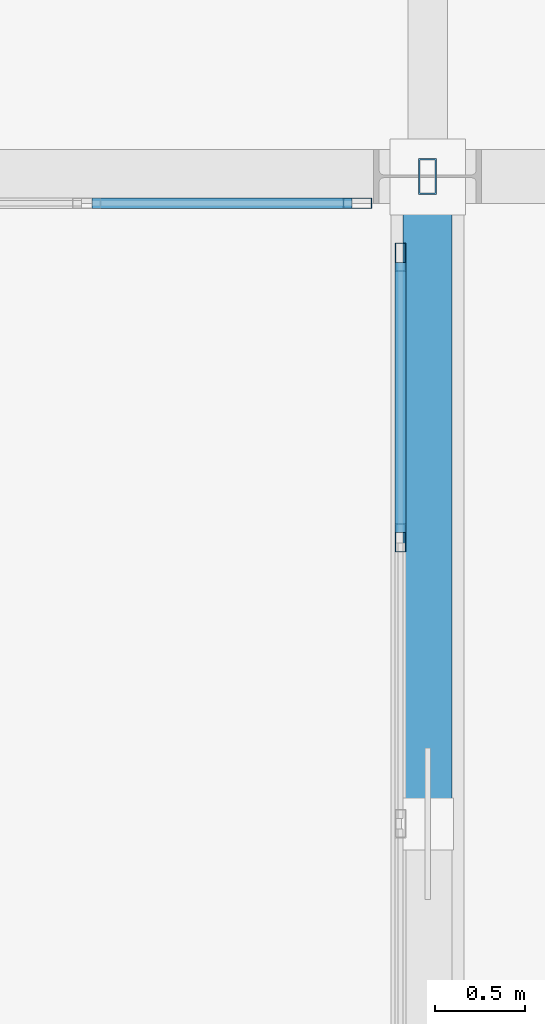
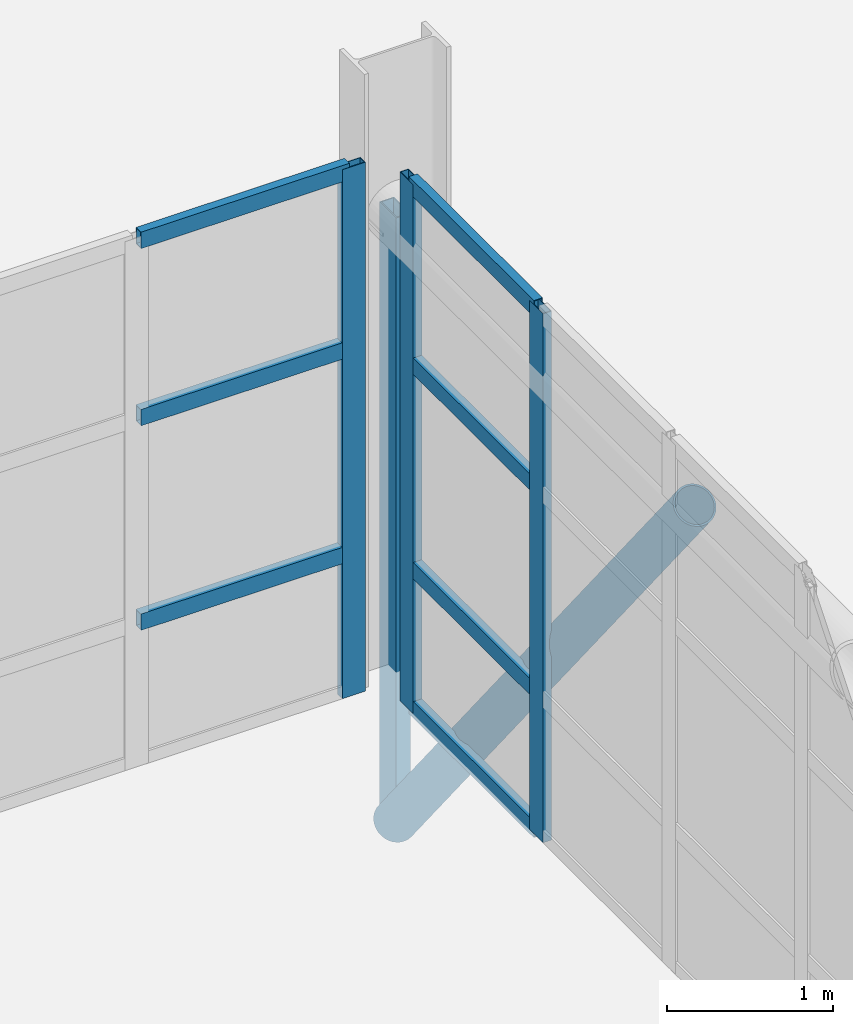
# One storey, part 24 of 130: 12 members, 2 elements without a shape of their own.
"""IFC4 building model written with IfcOpenShell, lengths in metres."""

import ifcopenshell
import ifcopenshell.guid

model = None  # the IFC model being written
_history = None  # IfcOwnerHistory: only IFC2X3 demands one
_inside = {}  # id of a spatial element -> (the spatial element, [elements in it])
_under = {}  # id of a project, library or spatial element -> (it, [spatial elements below it])
_declared = {}  # id of a project -> (the project, [libraries it declares])
_typed = {}  # id of a type object -> (the type object, [elements of that type])
_made_of = {}  # id of a material, layer set ... -> (it, [elements and type objects made of it])


def new_model(schema):
    """Start an empty IFC model of exactly this schema.

    Asked for "IFC4X3", IfcOpenShell would pick the latest addendum, in which some entities
    have other attributes; the version numbers below select the first issue.
    IFC2X3 requires an IfcOwnerHistory on every rooted entity: one is made here for all.
    """
    global model, _history
    if schema == "IFC4X3":
        model = ifcopenshell.file(schema_version=(4, 3, 0, 0))
    else:
        model = ifcopenshell.file(schema=schema)
    _inside.clear()
    _under.clear()
    _declared.clear()
    _typed.clear()
    _made_of.clear()
    _history = None
    if model.schema == "IFC2X3":
        org = make("IfcOrganization", Name="unknown")
        user = make(
            "IfcPersonAndOrganization",
            ThePerson=make("IfcPerson", FamilyName="unknown"),
            TheOrganization=org,
        )
        app = make(
            "IfcApplication",
            ApplicationDeveloper=org,
            Version="unknown",
            ApplicationFullName="unknown",
            ApplicationIdentifier="unknown",
        )
        _history = make(
            "IfcOwnerHistory",
            OwningUser=user,
            OwningApplication=app,
            ChangeAction="ADDED",
            CreationDate=0,
        )
    return model


def make(cls, **values):
    """One entity of the class cls with the attributes given. An attribute that is None is left unset."""
    return model.create_entity(
        cls, **{name: value for name, value in values.items() if value is not None}
    )


def rooted(cls, **values):
    """An entity with a GlobalId (a new one), such as an element, a storey or a relation."""
    return make(cls, GlobalId=ifcopenshell.guid.new(), OwnerHistory=_history, **values)


def si_unit(unit_type, name, prefix=None):
    """IfcSIUnit, for example si_unit("LENGTHUNIT", "METRE", prefix="MILLI")."""
    return make("IfcSIUnit", UnitType=unit_type, Prefix=prefix, Name=name)


def assignment(units):
    """IfcUnitAssignment: the units of a project."""
    return None if units is None else make("IfcUnitAssignment", Units=units)


def point(xyz):
    """IfcCartesianPoint."""
    return None if xyz is None else make("IfcCartesianPoint", Coordinates=xyz)


def direction(xyz):
    """IfcDirection."""
    return None if xyz is None else make("IfcDirection", DirectionRatios=xyz)


def frame(location, z_axis=None, x_axis=None):
    """IfcAxis2Placement3D, a coordinate frame: its origin and axes. An axis left out is left unset."""
    return make(
        "IfcAxis2Placement3D",
        Location=point(location),
        Axis=direction(z_axis),
        RefDirection=direction(x_axis),
    )


def frame_2d(location, x_axis=None):
    """IfcAxis2Placement2D, a coordinate frame in the plane: its origin and x axis."""
    return make(
        "IfcAxis2Placement2D", Location=point(location), RefDirection=direction(x_axis)
    )


def origin():
    """The frame at (0, 0, 0) with its axes left unset."""
    return frame((0.0, 0.0, 0.0))


def origin_2d():
    """The frame at (0, 0) in the plane with its x axis left unset."""
    return frame_2d((0.0, 0.0))


def place(relative_to, where):
    """IfcLocalPlacement: puts the frame where relative to a parent placement (None: the world)."""
    return make(
        "IfcLocalPlacement", PlacementRelTo=relative_to, RelativePlacement=where
    )


def context(
    kind, dimensions, precision=None, world=None, true_north=None, identifier=None
):
    """IfcGeometricRepresentationContext, for example the 3D "Model" context."""
    return make(
        "IfcGeometricRepresentationContext",
        ContextIdentifier=identifier,
        ContextType=kind,
        CoordinateSpaceDimension=dimensions,
        Precision=precision,
        WorldCoordinateSystem=world,
        TrueNorth=true_north,
    )


def subcontext(parent, identifier, kind, view, scale=None):
    """IfcGeometricRepresentationSubContext, for example "Body" below "Model"."""
    return make(
        "IfcGeometricRepresentationSubContext",
        ContextIdentifier=identifier,
        ContextType=kind,
        ParentContext=parent,
        TargetScale=scale,
        TargetView=view,
    )


def project(units=None, contexts=None):
    """IfcProject with its units and contexts."""
    return rooted(
        "IfcProject",
        Name="project",
        RepresentationContexts=contexts,
        UnitsInContext=assignment(units),
    )


def spatial(cls, under=None, at=None, **own):
    """A site, building, storey or space (cls), placed at a placement, below another one or the project."""
    s = rooted(cls, ObjectPlacement=at, **own)
    if under is not None:
        _under.setdefault(under.id(), (under, []))[1].append(s)
    return s


def profile(cls, at=None, kind="AREA", **sizes):
    """A parametric profile (cls). Its sizes go by their IFC names, for example OverallWidth=200.0."""
    return make(cls, ProfileType=kind, Position=at, **sizes)


def hollow_rectangle(**sizes):
    """IfcRectangleHollowProfileDef."""
    return profile("IfcRectangleHollowProfileDef", **sizes)


def hollow_circle(**sizes):
    """IfcCircleHollowProfileDef."""
    return profile("IfcCircleHollowProfileDef", **sizes)


def extrude(swept, where, along, depth):
    """IfcExtrudedAreaSolid: the profile swept, set in the frame where, extruded along a direction by depth."""
    return make(
        "IfcExtrudedAreaSolid",
        SweptArea=swept,
        Position=where,
        ExtrudedDirection=direction(along),
        Depth=depth,
    )


def shape(context_of_items, identifier, shape_type, items):
    """IfcShapeRepresentation: the items that make up one representation, for example the "Body"."""
    return make(
        "IfcShapeRepresentation",
        ContextOfItems=context_of_items,
        RepresentationIdentifier=identifier,
        RepresentationType=shape_type,
        Items=items,
    )


def material(Name=None, Category=None):
    """IfcMaterial."""
    return make("IfcMaterial", Name=Name, Category=Category)


def material_profile(
    of_material, cross_section, Name=None, Category=None, Priority=None
):
    """IfcMaterialProfile: a cross section and its material."""
    return make(
        "IfcMaterialProfile",
        Name=Name,
        Material=of_material,
        Profile=cross_section,
        Priority=Priority,
        Category=Category,
    )


def profile_set(profiles, Name=None, composite=None):
    """IfcMaterialProfileSet."""
    return make(
        "IfcMaterialProfileSet",
        Name=Name,
        MaterialProfiles=profiles,
        CompositeProfile=composite,
    )


def made_of(thing, what):
    """Note that an element or type object is made of a material, layer set ...; save() writes the relation."""
    if what is not None:
        _made_of.setdefault(what.id(), (what, []))[1].append(thing)
    return thing


def type_object(cls, material=None, **own):
    """A type object (cls), such as IfcWallType, which elements share."""
    return made_of(rooted(cls, **own), material)


def element(
    cls,
    number,
    at=None,
    inside=None,
    cuts=None,
    type_object=None,
    material=None,
    context=None,
    identifier="Body",
    shape_type=None,
    held_by="IfcProductDefinitionShape",
    body=None,
    shapes=None,
    **own,
):
    """One element of the class cls, such as IfcWall. Its Tag is "e" and its number.

    at: its placement. inside: the storey or other place that contains it. cuts: it is an
    opening in that element (IfcRelVoidsElement). A single representation is given by context,
    identifier, shape_type and body (its items); several are given by shapes. held_by: the class
    of the entity that holds the representations. save() writes the other relations.
    """
    e = rooted(cls, Tag="e%d" % number, ObjectPlacement=at, **own)
    if body is not None:
        shapes = [shape(context, identifier, shape_type, body)]
    if shapes is not None:
        e.Representation = make(held_by, Representations=shapes)
    if inside is not None:
        _inside.setdefault(inside.id(), (inside, []))[1].append(e)
    if cuts is not None:
        rooted(
            "IfcRelVoidsElement", RelatingBuildingElement=cuts, RelatedOpeningElement=e
        )
    if type_object is not None:
        _typed.setdefault(type_object.id(), (type_object, []))[1].append(e)
    return made_of(e, material)


def aggregate(whole, parts):
    """IfcRelAggregates: a whole, such as a stair, and the parts it consists of."""
    return rooted("IfcRelAggregates", RelatingObject=whole, RelatedObjects=parts)


def save(model, path):
    """Write the relations noted so far, then the file.

    IfcRelAggregates (storeys below a building ...), IfcRelContainedInSpatialStructure (elements
    in a storey), IfcRelDefinesByType, IfcRelAssociatesMaterial and IfcRelDeclares: one each for
    every whole, place, type object, material and project.
    """
    for whole, parts in _under.values():
        aggregate(whole, parts)
    for where, things in _inside.values():
        rooted(
            "IfcRelContainedInSpatialStructure",
            RelatedElements=things,
            RelatingStructure=where,
        )
    for kind, things in _typed.values():
        rooted("IfcRelDefinesByType", RelatedObjects=things, RelatingType=kind)
    for what, things in _made_of.values():
        rooted("IfcRelAssociatesMaterial", RelatedObjects=things, RelatingMaterial=what)
    for by, libraries in _declared.values():
        rooted("IfcRelDeclares", RelatingContext=by, RelatedDefinitions=libraries)
    model.write(path)


model = new_model("IFC4")

# Units and contexts
model_context = context("Model", 3, precision=1e-05, world=origin(), true_north=direction((0.0, 1.0)))
body_context = subcontext(model_context, "Body", "Model", "MODEL_VIEW")
ifc_project = project(units=[si_unit("LENGTHUNIT", "METRE"), si_unit("AREAUNIT", "SQUARE_METRE"), si_unit("VOLUMEUNIT", "CUBIC_METRE"), si_unit("PLANEANGLEUNIT", "RADIAN"), si_unit("MASSUNIT", "GRAM", prefix="KILO")], contexts=[model_context])

# Site, building, storey
site_placement = place(None, origin())
site = spatial("IfcSite", under=ifc_project, at=site_placement, CompositionType="ELEMENT")
building_placement = place(site_placement, origin())
building = spatial("IfcBuilding", under=site, at=building_placement, Name="Veltarok Museum of Natural Sciences", CompositionType="ELEMENT")
storey_placement = place(building_placement, frame((0.0, 0.0, 12.89990234375)))
storey = spatial("IfcBuildingStorey", under=building, at=storey_placement, Name="L02", CompositionType="ELEMENT", Elevation=12.89990234375)

# Curtain wall, members
ifc_material_1 = material(Name="Low-iron triple insulated glass", Category="glass")
curtain_wall_type_1 = type_object("IfcCurtainWallType", Name="Curtain Wall System CW-BRG-E-L02-CD-636x388 (Bridge East Court L02 CD 636x388cm)", PredefinedType="NOTDEFINED", material=ifc_material_1)
curtain_wall_1_placement = place(storey_placement, origin())
curtain_wall_1 = element("IfcCurtainWall", 1, at=curtain_wall_1_placement, inside=storey, type_object=curtain_wall_type_1, Name="Curtain Wall CW-BRG-E-L02-CD-636x388 CW-0032", PredefinedType="NOTDEFINED")
ifc_material_2 = material(Name="Thermally broken anodised aluminium", Category="aluminium")
ifc_material_profile_1 = material_profile(ifc_material_2, hollow_rectangle(XDim=0.06005859375, YDim=0.1201171875, WallThickness=0.0048828125, at=origin_2d()), Name="CW TRANSOM 60x120x5")
ifc_profile_set_1 = profile_set([ifc_material_profile_1], Name="Thermally broken anodised aluminium")
member_type_1 = type_object("IfcMemberType", Name="Curtain Wall Horizontal Transom 60x120x5", PredefinedType="USERDEFINED", material=ifc_profile_set_1)
member_1_placement = place(storey_placement, frame((31.449951171875, 24.419921875, 0.030029296875), z_axis=(0.0, 1.0, 0.0), x_axis=(-1.0, 0.0, 0.0)))
member_1 = element("IfcMember", 2, at=member_1_placement, type_object=member_type_1, Name="CW-BRG-E-L02-CD-636x388 transom 4.1", ObjectType="TRANSOM", PredefinedType="USERDEFINED", context=body_context, shape_type="SweptSolid", body=[
    extrude(hollow_rectangle(XDim=0.06005859375, YDim=0.1201171875, WallThickness=0.0048828125, at=origin_2d()), origin(), (0.0, 0.0, 1.0), 1.5),
])
member_2_placement = place(storey_placement, frame((31.449951171875, 24.419921875, 1.050048828125), z_axis=(0.0, 1.0, 0.0), x_axis=(-1.0, 0.0, 0.0)))
member_2 = element("IfcMember", 3, at=member_2_placement, type_object=member_type_1, Name="CW-BRG-E-L02-CD-636x388 transom 4.2", ObjectType="TRANSOM", PredefinedType="USERDEFINED", context=body_context, shape_type="SweptSolid", body=[
    extrude(hollow_rectangle(XDim=0.06005859375, YDim=0.1201171875, WallThickness=0.0048828125, at=origin_2d()), origin(), (0.0, 0.0, 1.0), 1.5),
])
member_3_placement = place(storey_placement, frame((31.449951171875, 24.419921875, 2.550048828125), z_axis=(0.0, 1.0, 0.0), x_axis=(-1.0, 0.0, 0.0)))
member_3 = element("IfcMember", 4, at=member_3_placement, type_object=member_type_1, Name="CW-BRG-E-L02-CD-636x388 transom 4.3", ObjectType="TRANSOM", PredefinedType="USERDEFINED", context=body_context, shape_type="SweptSolid", body=[
    extrude(hollow_rectangle(XDim=0.06005859375, YDim=0.1201171875, WallThickness=0.0048828125, at=origin_2d()), origin(), (0.0, 0.0, 1.0), 1.5),
])
member_4_placement = place(storey_placement, frame((31.449951171875, 24.419921875, 3.85009765625), z_axis=(0.0, 1.0, 0.0), x_axis=(-1.0, 0.0, 0.0)))
member_4 = element("IfcMember", 5, at=member_4_placement, type_object=member_type_1, Name="CW-BRG-E-L02-CD-636x388 transom 4.4", ObjectType="TRANSOM", PredefinedType="USERDEFINED", context=body_context, shape_type="SweptSolid", body=[
    extrude(hollow_rectangle(XDim=0.06005859375, YDim=0.1201171875, WallThickness=0.0048828125, at=origin_2d()), origin(), (0.0, 0.0, 1.0), 1.5),
])

curtain_wall_type_2 = type_object("IfcCurtainWallType", Name="Curtain Wall System CW-BRG-N-L02-3-768x388 (Bridge North Court L02 3-4 768x388cm)", PredefinedType="NOTDEFINED", material=ifc_material_1)
curtain_wall_2_placement = place(storey_placement, origin())
curtain_wall_2 = element("IfcCurtainWall", 6, at=curtain_wall_2_placement, inside=storey, type_object=curtain_wall_type_2, Name="Curtain Wall CW-BRG-N-L02-3-768x388 CW-0035", PredefinedType="NOTDEFINED")
member_5_placement = place(storey_placement, frame((31.179931640625, 26.25, 1.050048828125), z_axis=(-1.0, 0.0, 0.0), x_axis=(0.0, -1.0, 0.0)))
member_5 = element("IfcMember", 7, at=member_5_placement, type_object=member_type_1, Name="CW-BRG-N-L02-3-768x388 transom 1.2", ObjectType="TRANSOM", PredefinedType="USERDEFINED", context=body_context, shape_type="SweptSolid", body=[
    extrude(hollow_rectangle(XDim=0.06005859375, YDim=0.1201171875, WallThickness=0.0048828125, at=origin_2d()), origin(), (0.0, 0.0, 1.0), 1.446044921875),
])
member_6_placement = place(storey_placement, frame((31.179931640625, 26.25, 2.550048828125), z_axis=(-1.0, 0.0, 0.0), x_axis=(0.0, -1.0, 0.0)))
member_6 = element("IfcMember", 8, at=member_6_placement, type_object=member_type_1, Name="CW-BRG-N-L02-3-768x388 transom 1.3", ObjectType="TRANSOM", PredefinedType="USERDEFINED", context=body_context, shape_type="SweptSolid", body=[
    extrude(hollow_rectangle(XDim=0.06005859375, YDim=0.1201171875, WallThickness=0.0048828125, at=origin_2d()), origin(), (0.0, 0.0, 1.0), 1.446044921875),
])
member_7_placement = place(storey_placement, frame((31.179931640625, 26.25, 3.85009765625), z_axis=(-1.0, 0.0, 0.0), x_axis=(0.0, -1.0, 0.0)))
member_7 = element("IfcMember", 9, at=member_7_placement, type_object=member_type_1, Name="CW-BRG-N-L02-3-768x388 transom 1.4", ObjectType="TRANSOM", PredefinedType="USERDEFINED", context=body_context, shape_type="SweptSolid", body=[
    extrude(hollow_rectangle(XDim=0.06005859375, YDim=0.1201171875, WallThickness=0.0048828125, at=origin_2d()), origin(), (0.0, 0.0, 1.0), 1.446044921875),
])

# Member
ifc_material_profile_2 = material_profile(ifc_material_2, hollow_rectangle(XDim=0.06005859375, YDim=0.159912109375, WallThickness=0.0048828125, at=origin_2d()), Name="CW MULLION 60x160x5")
ifc_profile_set_2 = profile_set([ifc_material_profile_2], Name="Thermally broken anodised aluminium")
member_type_2 = type_object("IfcMemberType", Name="Curtain Wall Vertical Mullion 60x160x5", PredefinedType="MULLION", material=ifc_profile_set_2)
member_8_placement = place(storey_placement, frame((31.449951171875, 24.389892578125, 0.0), z_axis=(0.0, 0.0, 1.0), x_axis=(-1.0, 0.0, 0.0)))
member_8 = element("IfcMember", 10, at=member_8_placement, type_object=member_type_2, Name="CW-BRG-E-L02-CD-636x388 mullion 4", PredefinedType="MULLION", context=body_context, shape_type="SweptSolid", body=[
    extrude(hollow_rectangle(XDim=0.06005859375, YDim=0.159912109375, WallThickness=0.0048828125, at=origin_2d()), origin(), (0.0, 0.0, 1.0), 3.880126953125),
])

member_9_placement = place(storey_placement, frame((31.449951171875, 25.949951171875, 0.0), z_axis=(0.0, 0.0, 1.0), x_axis=(-1.0, 0.0, 0.0)))
member_9 = element("IfcMember", 11, at=member_9_placement, type_object=member_type_2, Name="CW-BRG-E-L02-CD-636x388 mullion 5", PredefinedType="MULLION", context=body_context, shape_type="SweptSolid", body=[
    extrude(hollow_rectangle(XDim=0.06005859375, YDim=0.159912109375, WallThickness=0.0048828125, at=origin_2d()), origin(), (0.0, 0.0, 1.0), 3.880126953125),
])

aggregate(curtain_wall_1, [member_8, member_9, member_1, member_2, member_3, member_4])

member_10_placement = place(storey_placement, frame((31.2099609375, 26.25, 0.0), z_axis=(0.0, 0.0, 1.0), x_axis=(0.0, -1.0, 0.0)))
member_10 = element("IfcMember", 12, at=member_10_placement, type_object=member_type_2, Name="CW-BRG-N-L02-3-768x388 mullion 1", PredefinedType="MULLION", context=body_context, shape_type="SweptSolid", body=[
    extrude(hollow_rectangle(XDim=0.06005859375, YDim=0.159912109375, WallThickness=0.0048828125, at=origin_2d()), origin(), (0.0, 0.0, 1.0), 3.880126953125),
])

aggregate(curtain_wall_2, [member_10, member_5, member_6, member_7])

# Members
ifc_material_3 = material(Name="Oxide-red painted Steel S355J2", Category="steel")
ifc_material_profile_3 = material_profile(ifc_material_3, hollow_rectangle(XDim=0.10009765625, YDim=0.199951171875, WallThickness=0.008056640625, at=origin_2d()), Name="RHS 200x100x8")
ifc_profile_set_3 = profile_set([ifc_material_profile_3], Name="Oxide-red painted Steel S355J2")
member_type_3 = type_object("IfcMemberType", Name="Monitor and Transfer Vertical Post RHS 200x100x8", PredefinedType="STRUT", material=ifc_profile_set_3)
member_11_placement = place(storey_placement, frame((31.60009765625, 26.39990234375, -1.169921875), z_axis=(0.0, 0.0, 1.0), x_axis=(1.0, 0.0, 0.0)))
element("IfcMember", 13, at=member_11_placement, inside=storey, type_object=member_type_3, Name="Transfer Truss Post 4 Y=26.4", PredefinedType="STRUT", context=body_context, shape_type="SweptSolid", body=[
    extrude(hollow_rectangle(XDim=0.10009765625, YDim=0.199951171875, WallThickness=0.008056640625, at=origin_2d()), origin(), (0.0, 0.0, 1.0), 4.5),
])
ifc_material_profile_4 = material_profile(ifc_material_3, hollow_circle(Radius=0.136474609375, WallThickness=0.012451171875, at=origin_2d()), Name="CHS 273x12.5")
ifc_profile_set_4 = profile_set([ifc_material_profile_4], Name="Oxide-red painted Steel S355J2")
member_type_4 = type_object("IfcMemberType", Name="Transfer Truss Web Diagonal CHS 273x12.5", PredefinedType="BRACE", material=ifc_profile_set_4)
member_12_placement = place(storey_placement, frame((31.60009765625, 22.800048828125, 3.330078125), z_axis=(0.0, 0.624679547852, -0.780881208953), x_axis=(-1.0, 0.0, 0.0)))
element("IfcMember", 14, at=member_12_placement, inside=storey, type_object=member_type_4, Name="Transfer Truss Diagonal 4 28", PredefinedType="BRACE", context=body_context, shape_type="SweptSolid", body=[
    extrude(hollow_circle(Radius=0.136474609375, WallThickness=0.012451171875, at=origin_2d()), origin(), (0.0, 0.0, 1.0), 5.7626953125),
])

save(model, "model.ifc")
